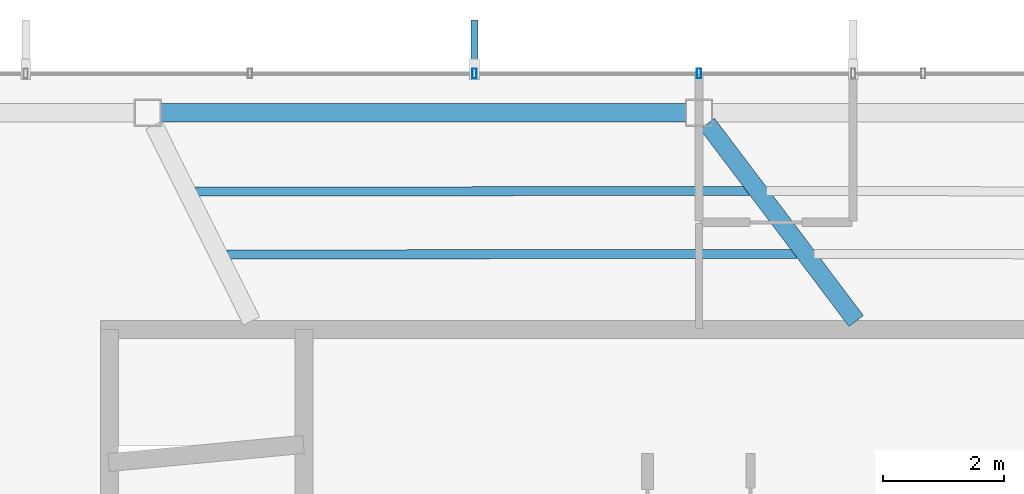
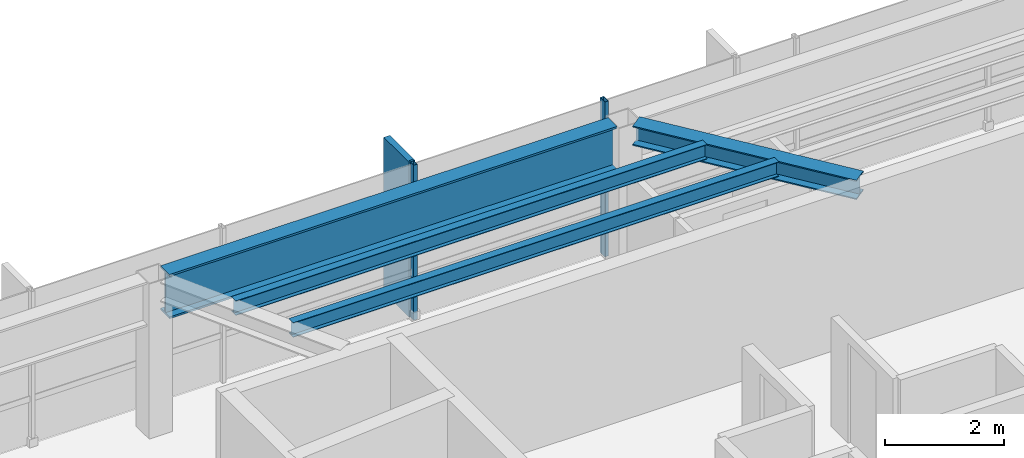
# One storey, part 12 of 23: 4 beams, 3 members, 1 element without a shape of its own.
"""IFC4 building model written with IfcOpenShell, lengths in metres."""

from ifc_helpers import new_model, si_unit, direction, frame, origin, origin_2d, place, context, subcontext, project, spatial, rectangle, hollow_rectangle, i_section, extrude, material, layer, layer_set, material_profile, profile_set, type_object, element, aggregate, save


model = new_model("IFC4")

# Units and contexts
model_context = context("Model", 3, precision=1e-05, world=origin(), true_north=direction((0.0, 1.0)))
body_context = subcontext(model_context, "Body", "Model", "MODEL_VIEW")
ifc_project = project(units=[si_unit("LENGTHUNIT", "METRE"), si_unit("AREAUNIT", "SQUARE_METRE"), si_unit("VOLUMEUNIT", "CUBIC_METRE"), si_unit("PLANEANGLEUNIT", "RADIAN"), si_unit("MASSUNIT", "GRAM", prefix="KILO")], contexts=[model_context])

# Site, building, storey
site_placement = place(None, origin())
site = spatial("IfcSite", under=ifc_project, at=site_placement, CompositionType="ELEMENT")
building_placement = place(site_placement, origin())
building = spatial("IfcBuilding", under=site, at=building_placement, Name="Zarrinselat Tower", CompositionType="ELEMENT")
storey_placement = place(building_placement, frame((0.0, 0.0, 278.800048828125)))
storey = spatial("IfcBuildingStorey", under=building, at=storey_placement, Name="L71", CompositionType="ELEMENT", Elevation=278.800048828125)

# Beams
ifc_material_1 = material(Name="Steel S355J2", Category="steel")
ifc_material_profile_1 = material_profile(ifc_material_1, i_section(OverallWidth=0.300048828125, OverallDepth=0.39990234375, WebThickness=0.013427734375, FlangeThickness=0.02392578125, at=origin_2d()), Name="HEB 400")
ifc_profile_set_1 = profile_set([ifc_material_profile_1], Name="Steel S355J2")
beam_type_1 = type_object("IfcBeamType", Name="BM-HEB400", PredefinedType="BEAM", material=ifc_profile_set_1)
beam_1_placement = place(storey_placement, frame((38.536865234375, 46.802001953125, 2.97998046875), z_axis=(0.602605771605, -0.798039024126, 0.0), x_axis=(0.798039024126, 0.602605771605, 0.0)))
element("IfcBeam", 1, at=beam_1_placement, inside=storey, type_object=beam_type_1, Name="L71 Radial Primary Girder RG03", PredefinedType="BEAM", context=body_context, shape_type="SweptSolid", body=[
    extrude(i_section(OverallWidth=0.300048828125, OverallDepth=0.39990234375, WebThickness=0.013427734375, FlangeThickness=0.02392578125, at=origin_2d()), origin(), (0.0, 0.0, 1.0), 4.08740234375),
])
ifc_material_2 = material(Name="Steel S460M", Category="steel")
ifc_material_profile_2 = material_profile(ifc_material_2, i_section(OverallWidth=0.302001953125, OverallDepth=0.909912109375, WebThickness=0.02099609375, FlangeThickness=0.0400390625, at=origin_2d()), Name="HEM 900")
ifc_profile_set_2 = profile_set([ifc_material_profile_2], Name="Steel S460M")
beam_type_2 = type_object("IfcBeamType", Name="BM-HEM900", PredefinedType="BEAM", material=ifc_profile_set_2)
beam_2_placement = place(storey_placement, frame((29.496337890625, 46.9833984375, 2.724853515625), z_axis=(1.0, 0.0, 0.0), x_axis=(0.0, 1.0, 0.0)))
element("IfcBeam", 2, at=beam_2_placement, inside=storey, type_object=beam_type_2, Name="L71 Perimeter Spandrel Girder SP03", PredefinedType="BEAM", context=body_context, shape_type="SweptSolid", body=[
    extrude(i_section(OverallWidth=0.302001953125, OverallDepth=0.909912109375, WebThickness=0.02099609375, FlangeThickness=0.0400390625, at=origin_2d()), origin(), (0.0, 0.0, 1.0), 8.690673828125),
])
ifc_material_3 = material(Name="Steel S355J2", Category="steel")
ifc_material_profile_3 = material_profile(ifc_material_3, i_section(OverallWidth=0.14990234375, OverallDepth=0.300048828125, WebThickness=0.007080078125, FlangeThickness=0.0107421875, at=origin_2d()), Name="IPE 300")
ifc_profile_set_3 = profile_set([ifc_material_profile_3], Name="Steel S355J2")
beam_type_3 = type_object("IfcBeamType", Name="BM-IPE300", PredefinedType="JOIST", material=ifc_profile_set_3)
beam_3_placement = place(storey_placement, frame((30.073974609375, 45.6787109375, 3.030029296875), z_axis=(0.999998805252, 0.001545799171, 0.0), x_axis=(-0.001545799171, 0.999998805252, 0.0)))
element("IfcBeam", 3, at=beam_3_placement, inside=storey, type_object=beam_type_3, Name="L71 Composite Floor Joist 8-1", PredefinedType="JOIST", context=body_context, shape_type="SweptSolid", body=[
    extrude(i_section(OverallWidth=0.14990234375, OverallDepth=0.300048828125, WebThickness=0.007080078125, FlangeThickness=0.0107421875, at=origin_2d()), origin(), (0.0, 0.0, 1.0), 9.160400390625),
])
beam_4_placement = place(storey_placement, frame((30.5908203125, 44.6416015625, 3.030029296875), z_axis=(0.999999698479, 0.000776558059, 0.0), x_axis=(-0.000776558059, 0.999999698479, 0.0)))
element("IfcBeam", 4, at=beam_4_placement, inside=storey, type_object=beam_type_3, Name="L71 Composite Floor Joist 8-2", PredefinedType="JOIST", context=body_context, shape_type="SweptSolid", body=[
    extrude(i_section(OverallWidth=0.14990234375, OverallDepth=0.300048828125, WebThickness=0.007080078125, FlangeThickness=0.0107421875, at=origin_2d()), origin(), (0.0, 0.0, 1.0), 9.431640625),
])

# Curtain wall, members
ifc_material_4 = material(Name="Extruded Aluminium Alloy EN AW-6063 T6", Category="aluminium")
ifc_layer = layer(ifc_material_4, 0.169921875)
ifc_layer_set = layer_set([ifc_layer], Name="Extruded Aluminium Alloy EN AW-6063 T6")
curtain_wall_type = type_object("IfcCurtainWallType", Name="CWS-RES", PredefinedType="NOTDEFINED", material=ifc_layer_set)
curtain_wall_placement = place(storey_placement, origin())
curtain_wall = element("IfcCurtainWall", 5, at=curtain_wall_placement, inside=storey, type_object=curtain_wall_type, Name="L71 Unitised Curtain Wall CW-L71-E01", PredefinedType="NOTDEFINED")
ifc_material_5 = material(Name="Extruded Aluminium Alloy EN AW-6063 T6", Category="aluminium")
ifc_material_profile_4 = material_profile(ifc_material_5, hollow_rectangle(XDim=0.070068359375, YDim=0.159912109375, WallThickness=0.00390625, at=origin_2d()), Name="RHS 160x70x4")
ifc_profile_set_4 = profile_set([ifc_material_profile_4], Name="Extruded Aluminium Alloy EN AW-6063 T6")
member_type_1 = type_object("IfcMemberType", Name="MEM-CW-MUL2", PredefinedType="MULLION", material=ifc_profile_set_4)
member_1_placement = place(storey_placement, frame((38.39990234375, 47.63330078125, 0.0), z_axis=(0.0, 0.0, 1.0), x_axis=(-1.0, 0.0, 0.0)))
member_1 = element("IfcMember", 6, at=member_1_placement, type_object=member_type_1, Name="CW-L71-E01 Mullion 8", PredefinedType="MULLION", context=body_context, shape_type="SweptSolid", body=[
    extrude(hollow_rectangle(XDim=0.070068359375, YDim=0.159912109375, WallThickness=0.00390625, at=origin_2d()), origin(), (0.0, 0.0, 1.0), 3.179931640625),
])
member_2_placement = place(storey_placement, frame((34.68798828125, 47.63330078125, 0.0), z_axis=(0.0, 0.0, 1.0), x_axis=(-1.0, 0.0, 0.0)))
member_2 = element("IfcMember", 7, at=member_2_placement, type_object=member_type_1, Name="CW-L71-E01 Mullion 9", PredefinedType="MULLION", context=body_context, shape_type="SweptSolid", body=[
    extrude(hollow_rectangle(XDim=0.070068359375, YDim=0.159912109375, WallThickness=0.00390625, at=origin_2d()), origin(), (0.0, 0.0, 1.0), 3.179931640625),
])
ifc_material_6 = material(Name="Honed Cream Travertine Stone", Category="masonry")
ifc_material_profile_5 = material_profile(ifc_material_6, rectangle(XDim=0.1201171875, YDim=0.85009765625, at=origin_2d()), Name="FIN 850x120")
ifc_profile_set_5 = profile_set([ifc_material_profile_5], Name="Honed Cream Travertine Stone")
member_type_2 = type_object("IfcMemberType", Name="MEM-STONE-FIN", PredefinedType="USERDEFINED", material=ifc_profile_set_5)
member_3_placement = place(storey_placement, frame((34.68798828125, 48.09326171875, 0.0), z_axis=(0.0, 0.0, 1.0), x_axis=(1.0, 0.0, 0.0)))
member_3 = element("IfcMember", 8, at=member_3_placement, type_object=member_type_2, Name="L71 Stone Shading Fin CW-L71-E01-09", ObjectType="FIN", PredefinedType="USERDEFINED", context=body_context, shape_type="SweptSolid", body=[
    extrude(rectangle(XDim=0.1201171875, YDim=0.85009765625, at=origin_2d()), origin(), (0.0, 0.0, 1.0), 3.179931640625),
])
aggregate(curtain_wall, [member_1, member_2, member_3])

save(model, "model.ifc")
